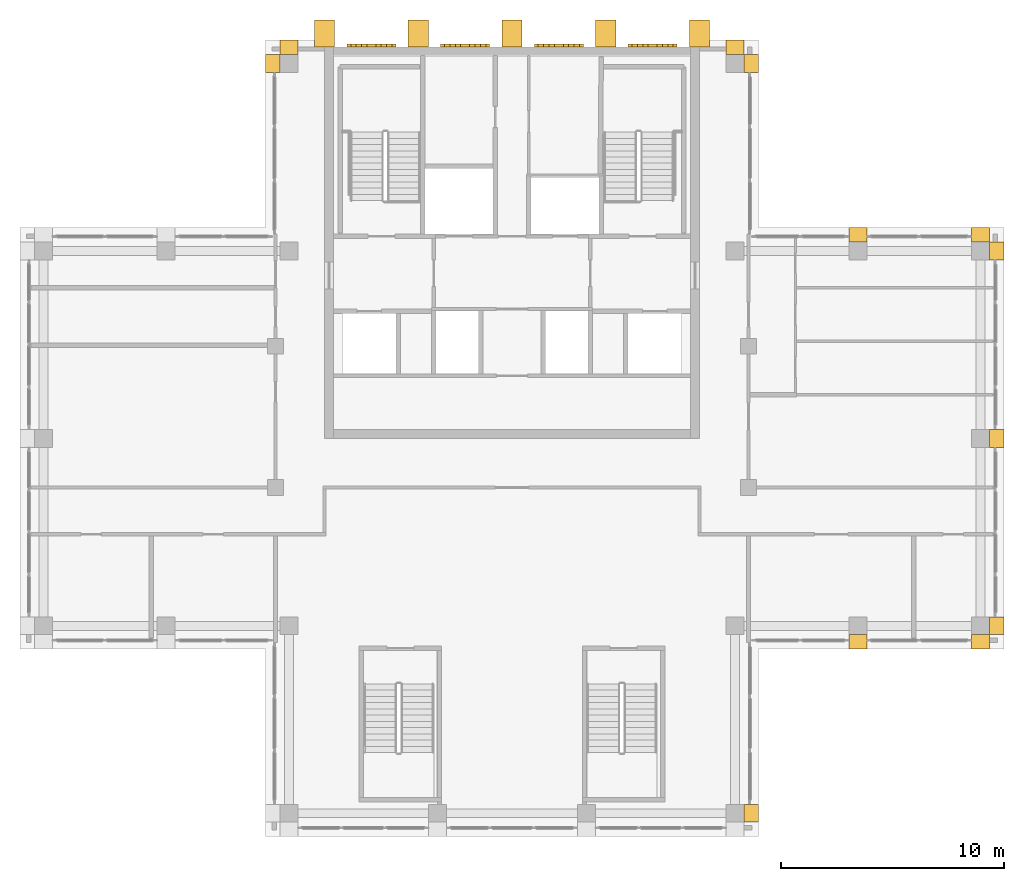
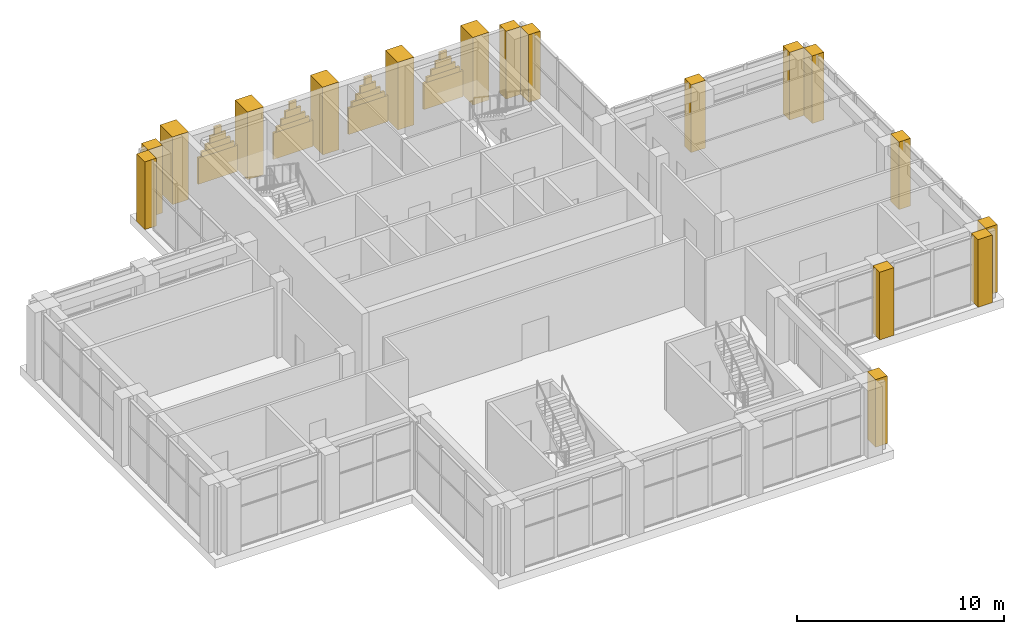
# One storey, part 14 of 14: 37 coverings.
"""IFC4 building model written with IfcOpenShell, lengths in metres."""

from ifc_helpers import new_model, si_unit, direction, frame, origin, place, context, subcontext, project, spatial, polyline, outline, extrude, material, type_object, element, save


model = new_model("IFC4")

# Units and contexts
model_context = context("Model", 3, precision=1e-05, world=origin(), true_north=direction((0.0, 1.0)))
body_context = subcontext(model_context, "Body", "Model", "MODEL_VIEW")
ifc_project = project(units=[si_unit("LENGTHUNIT", "METRE"), si_unit("AREAUNIT", "SQUARE_METRE"), si_unit("VOLUMEUNIT", "CUBIC_METRE"), si_unit("PLANEANGLEUNIT", "RADIAN"), si_unit("MASSUNIT", "GRAM", prefix="KILO")], contexts=[model_context])

# Site, building, storey
site_placement = place(None, origin())
site = spatial("IfcSite", under=ifc_project, at=site_placement, CompositionType="ELEMENT")
building_placement = place(site_placement, origin())
building = spatial("IfcBuilding", under=site, at=building_placement, Name="Vermilion Ogive Tower", CompositionType="ELEMENT")
storey_placement = place(building_placement, frame((0.0, 0.0, 273.85009765625)))
storey = spatial("IfcBuildingStorey", under=building, at=storey_placement, Name="L72", CompositionType="ELEMENT", Elevation=273.85009765625)

# Coverings
ifc_material_1 = material(Name="Stone cladding", Category="masonry")
covering_type_1 = type_object("IfcCoveringType", Name="Core buttress pier", PredefinedType="CLADDING", material=ifc_material_1)
covering_1_placement = place(storey_placement, origin())
element("IfcCovering", 1, at=covering_1_placement, inside=storey, type_object=covering_type_1, Name="Buttress pier L72 N1", PredefinedType="CLADDING", context=body_context, shape_type="SweptSolid", body=[
    extrude(outline(polyline([(-8.85009765625, 21.75), (-7.949951171875, 21.75), (-7.949951171875, 22.949951171875), (-8.85009765625, 22.949951171875), (-8.85009765625, 21.75)])), origin(), (0.0, 0.0, 1.0), 4.0),
])
covering_2_placement = place(storey_placement, origin())
element("IfcCovering", 2, at=covering_2_placement, inside=storey, type_object=covering_type_1, Name="Buttress pier L72 N2", PredefinedType="CLADDING", context=body_context, shape_type="SweptSolid", body=[
    extrude(outline(polyline([(-4.64990234375, 21.75), (-3.75, 21.75), (-3.75, 22.949951171875), (-4.64990234375, 22.949951171875), (-4.64990234375, 21.75)])), origin(), (0.0, 0.0, 1.0), 4.0),
])
covering_3_placement = place(storey_placement, origin())
element("IfcCovering", 3, at=covering_3_placement, inside=storey, type_object=covering_type_1, Name="Buttress pier L72 N3", PredefinedType="CLADDING", context=body_context, shape_type="SweptSolid", body=[
    extrude(outline(polyline([(-0.449951171875, 21.75), (0.449951171875, 21.75), (0.449951171875, 22.949951171875), (-0.449951171875, 22.949951171875), (-0.449951171875, 21.75)])), origin(), (0.0, 0.0, 1.0), 4.0),
])
covering_4_placement = place(storey_placement, origin())
element("IfcCovering", 4, at=covering_4_placement, inside=storey, type_object=covering_type_1, Name="Buttress pier L72 N4", PredefinedType="CLADDING", context=body_context, shape_type="SweptSolid", body=[
    extrude(outline(polyline([(3.75, 21.75), (4.64990234375, 21.75), (4.64990234375, 22.949951171875), (3.75, 22.949951171875), (3.75, 21.75)])), origin(), (0.0, 0.0, 1.0), 4.0),
])
covering_5_placement = place(storey_placement, origin())
element("IfcCovering", 5, at=covering_5_placement, inside=storey, type_object=covering_type_1, Name="Buttress pier L72 N5", PredefinedType="CLADDING", context=body_context, shape_type="SweptSolid", body=[
    extrude(outline(polyline([(7.949951171875, 21.75), (8.85009765625, 21.75), (8.85009765625, 22.949951171875), (7.949951171875, 22.949951171875), (7.949951171875, 21.75)])), origin(), (0.0, 0.0, 1.0), 4.0),
])
ifc_material_2 = material(Name="Stone cladding", Category="masonry")
covering_type_2 = type_object("IfcCoveringType", Name="Lancet panel", PredefinedType="CLADDING", material=ifc_material_2)
covering_6_placement = place(storey_placement, frame((0.0, 0.0, 0.699951171875)))
element("IfcCovering", 6, at=covering_6_placement, inside=storey, type_object=covering_type_2, Name="Lancet panel L72N1A", PredefinedType="CLADDING", context=body_context, shape_type="SweptSolid", body=[
    extrude(outline(polyline([(-7.39990234375, 21.75), (-5.199951171875, 21.75), (-5.199951171875, 21.8701171875), (-7.39990234375, 21.8701171875), (-7.39990234375, 21.75)])), origin(), (0.0, 0.0, 1.0), 1.550048828125),
])
covering_7_placement = place(storey_placement, frame((0.0, 0.0, 2.25)))
element("IfcCovering", 7, at=covering_7_placement, inside=storey, type_object=covering_type_2, Name="Lancet panel L72N1B", PredefinedType="CLADDING", context=body_context, shape_type="SweptSolid", body=[
    extrude(outline(polyline([(-7.22412109375, 21.75), (-5.3759765625, 21.75), (-5.3759765625, 21.8701171875), (-7.22412109375, 21.8701171875), (-7.22412109375, 21.75)])), origin(), (0.0, 0.0, 1.0), 0.2998046875),
])
covering_8_placement = place(storey_placement, frame((0.0, 0.0, 2.5498046875)))
element("IfcCovering", 8, at=covering_8_placement, inside=storey, type_object=covering_type_2, Name="Lancet panel L72N1C", PredefinedType="CLADDING", context=body_context, shape_type="SweptSolid", body=[
    extrude(outline(polyline([(-6.98193359375, 21.75), (-5.617919921875, 21.75), (-5.617919921875, 21.8701171875), (-6.98193359375, 21.8701171875), (-6.98193359375, 21.75)])), origin(), (0.0, 0.0, 1.0), 0.35009765625),
])
covering_9_placement = place(storey_placement, frame((0.0, 0.0, 2.89990234375)))
element("IfcCovering", 9, at=covering_9_placement, inside=storey, type_object=covering_type_2, Name="Lancet panel L72N1D", PredefinedType="CLADDING", context=body_context, shape_type="SweptSolid", body=[
    extrude(outline(polyline([(-6.739990234375, 21.75), (-5.860107421875, 21.75), (-5.860107421875, 21.8701171875), (-6.739990234375, 21.8701171875), (-6.739990234375, 21.75)])), origin(), (0.0, 0.0, 1.0), 0.39990234375),
])
covering_10_placement = place(storey_placement, frame((0.0, 0.0, 3.2998046875)))
element("IfcCovering", 10, at=covering_10_placement, inside=storey, type_object=covering_type_2, Name="Lancet panel L72N1E", PredefinedType="CLADDING", context=body_context, shape_type="SweptSolid", body=[
    extrude(outline(polyline([(-6.498046875, 21.75), (-6.10205078125, 21.75), (-6.10205078125, 21.8701171875), (-6.498046875, 21.8701171875), (-6.498046875, 21.75)])), origin(), (0.0, 0.0, 1.0), 0.4501953125),
])
covering_11_placement = place(storey_placement, frame((0.0, 0.0, 0.699951171875)))
element("IfcCovering", 11, at=covering_11_placement, inside=storey, type_object=covering_type_2, Name="Lancet panel L72N2A", PredefinedType="CLADDING", context=body_context, shape_type="SweptSolid", body=[
    extrude(outline(polyline([(-3.199951171875, 21.75), (-1.0, 21.75), (-1.0, 21.8701171875), (-3.199951171875, 21.8701171875), (-3.199951171875, 21.75)])), origin(), (0.0, 0.0, 1.0), 1.550048828125),
])
covering_12_placement = place(storey_placement, frame((0.0, 0.0, 2.25)))
element("IfcCovering", 12, at=covering_12_placement, inside=storey, type_object=covering_type_2, Name="Lancet panel L72N2B", PredefinedType="CLADDING", context=body_context, shape_type="SweptSolid", body=[
    extrude(outline(polyline([(-3.02392578125, 21.75), (-1.176025390625, 21.75), (-1.176025390625, 21.8701171875), (-3.02392578125, 21.8701171875), (-3.02392578125, 21.75)])), origin(), (0.0, 0.0, 1.0), 0.2998046875),
])
covering_13_placement = place(storey_placement, frame((0.0, 0.0, 2.5498046875)))
element("IfcCovering", 13, at=covering_13_placement, inside=storey, type_object=covering_type_2, Name="Lancet panel L72N2C", PredefinedType="CLADDING", context=body_context, shape_type="SweptSolid", body=[
    extrude(outline(polyline([(-2.781982421875, 21.75), (-1.41796875, 21.75), (-1.41796875, 21.8701171875), (-2.781982421875, 21.8701171875), (-2.781982421875, 21.75)])), origin(), (0.0, 0.0, 1.0), 0.35009765625),
])
covering_14_placement = place(storey_placement, frame((0.0, 0.0, 2.89990234375)))
element("IfcCovering", 14, at=covering_14_placement, inside=storey, type_object=covering_type_2, Name="Lancet panel L72N2D", PredefinedType="CLADDING", context=body_context, shape_type="SweptSolid", body=[
    extrude(outline(polyline([(-2.5400390625, 21.75), (-1.659912109375, 21.75), (-1.659912109375, 21.8701171875), (-2.5400390625, 21.8701171875), (-2.5400390625, 21.75)])), origin(), (0.0, 0.0, 1.0), 0.39990234375),
])
covering_15_placement = place(storey_placement, frame((0.0, 0.0, 3.2998046875)))
element("IfcCovering", 15, at=covering_15_placement, inside=storey, type_object=covering_type_2, Name="Lancet panel L72N2E", PredefinedType="CLADDING", context=body_context, shape_type="SweptSolid", body=[
    extrude(outline(polyline([(-2.298095703125, 21.75), (-1.902099609375, 21.75), (-1.902099609375, 21.8701171875), (-2.298095703125, 21.8701171875), (-2.298095703125, 21.75)])), origin(), (0.0, 0.0, 1.0), 0.4501953125),
])
covering_16_placement = place(storey_placement, frame((0.0, 0.0, 0.699951171875)))
element("IfcCovering", 16, at=covering_16_placement, inside=storey, type_object=covering_type_2, Name="Lancet panel L72N3A", PredefinedType="CLADDING", context=body_context, shape_type="SweptSolid", body=[
    extrude(outline(polyline([(1.0, 21.75), (3.199951171875, 21.75), (3.199951171875, 21.8701171875), (1.0, 21.8701171875), (1.0, 21.75)])), origin(), (0.0, 0.0, 1.0), 1.550048828125),
])
covering_17_placement = place(storey_placement, frame((0.0, 0.0, 2.25)))
element("IfcCovering", 17, at=covering_17_placement, inside=storey, type_object=covering_type_2, Name="Lancet panel L72N3B", PredefinedType="CLADDING", context=body_context, shape_type="SweptSolid", body=[
    extrude(outline(polyline([(1.176025390625, 21.75), (3.02392578125, 21.75), (3.02392578125, 21.8701171875), (1.176025390625, 21.8701171875), (1.176025390625, 21.75)])), origin(), (0.0, 0.0, 1.0), 0.2998046875),
])
covering_18_placement = place(storey_placement, frame((0.0, 0.0, 2.5498046875)))
element("IfcCovering", 18, at=covering_18_placement, inside=storey, type_object=covering_type_2, Name="Lancet panel L72N3C", PredefinedType="CLADDING", context=body_context, shape_type="SweptSolid", body=[
    extrude(outline(polyline([(1.41796875, 21.75), (2.781982421875, 21.75), (2.781982421875, 21.8701171875), (1.41796875, 21.8701171875), (1.41796875, 21.75)])), origin(), (0.0, 0.0, 1.0), 0.35009765625),
])
covering_19_placement = place(storey_placement, frame((0.0, 0.0, 2.89990234375)))
element("IfcCovering", 19, at=covering_19_placement, inside=storey, type_object=covering_type_2, Name="Lancet panel L72N3D", PredefinedType="CLADDING", context=body_context, shape_type="SweptSolid", body=[
    extrude(outline(polyline([(1.659912109375, 21.75), (2.5400390625, 21.75), (2.5400390625, 21.8701171875), (1.659912109375, 21.8701171875), (1.659912109375, 21.75)])), origin(), (0.0, 0.0, 1.0), 0.39990234375),
])
covering_20_placement = place(storey_placement, frame((0.0, 0.0, 3.2998046875)))
element("IfcCovering", 20, at=covering_20_placement, inside=storey, type_object=covering_type_2, Name="Lancet panel L72N3E", PredefinedType="CLADDING", context=body_context, shape_type="SweptSolid", body=[
    extrude(outline(polyline([(1.902099609375, 21.75), (2.298095703125, 21.75), (2.298095703125, 21.8701171875), (1.902099609375, 21.8701171875), (1.902099609375, 21.75)])), origin(), (0.0, 0.0, 1.0), 0.4501953125),
])
covering_21_placement = place(storey_placement, frame((0.0, 0.0, 0.699951171875)))
element("IfcCovering", 21, at=covering_21_placement, inside=storey, type_object=covering_type_2, Name="Lancet panel L72N4A", PredefinedType="CLADDING", context=body_context, shape_type="SweptSolid", body=[
    extrude(outline(polyline([(5.199951171875, 21.75), (7.39990234375, 21.75), (7.39990234375, 21.8701171875), (5.199951171875, 21.8701171875), (5.199951171875, 21.75)])), origin(), (0.0, 0.0, 1.0), 1.550048828125),
])
covering_22_placement = place(storey_placement, frame((0.0, 0.0, 2.25)))
element("IfcCovering", 22, at=covering_22_placement, inside=storey, type_object=covering_type_2, Name="Lancet panel L72N4B", PredefinedType="CLADDING", context=body_context, shape_type="SweptSolid", body=[
    extrude(outline(polyline([(5.3759765625, 21.75), (7.22412109375, 21.75), (7.22412109375, 21.8701171875), (5.3759765625, 21.8701171875), (5.3759765625, 21.75)])), origin(), (0.0, 0.0, 1.0), 0.2998046875),
])
covering_23_placement = place(storey_placement, frame((0.0, 0.0, 2.5498046875)))
element("IfcCovering", 23, at=covering_23_placement, inside=storey, type_object=covering_type_2, Name="Lancet panel L72N4C", PredefinedType="CLADDING", context=body_context, shape_type="SweptSolid", body=[
    extrude(outline(polyline([(5.617919921875, 21.75), (6.98193359375, 21.75), (6.98193359375, 21.8701171875), (5.617919921875, 21.8701171875), (5.617919921875, 21.75)])), origin(), (0.0, 0.0, 1.0), 0.35009765625),
])
covering_24_placement = place(storey_placement, frame((0.0, 0.0, 2.89990234375)))
element("IfcCovering", 24, at=covering_24_placement, inside=storey, type_object=covering_type_2, Name="Lancet panel L72N4D", PredefinedType="CLADDING", context=body_context, shape_type="SweptSolid", body=[
    extrude(outline(polyline([(5.860107421875, 21.75), (6.739990234375, 21.75), (6.739990234375, 21.8701171875), (5.860107421875, 21.8701171875), (5.860107421875, 21.75)])), origin(), (0.0, 0.0, 1.0), 0.39990234375),
])
covering_25_placement = place(storey_placement, frame((0.0, 0.0, 3.2998046875)))
element("IfcCovering", 25, at=covering_25_placement, inside=storey, type_object=covering_type_2, Name="Lancet panel L72N4E", PredefinedType="CLADDING", context=body_context, shape_type="SweptSolid", body=[
    extrude(outline(polyline([(6.10205078125, 21.75), (6.498046875, 21.75), (6.498046875, 21.8701171875), (6.10205078125, 21.8701171875), (6.10205078125, 21.75)])), origin(), (0.0, 0.0, 1.0), 0.4501953125),
])
ifc_material_3 = material(Name="Stone cladding", Category="masonry")
covering_type_3 = type_object("IfcCoveringType", Name="Stone pier", PredefinedType="CLADDING", material=ifc_material_3)
covering_26_placement = place(storey_placement, origin())
element("IfcCovering", 26, at=covering_26_placement, inside=storey, type_object=covering_type_3, Name="Stone pier P+0100+210X4", PredefinedType="CLADDING", context=body_context, shape_type="SweptSolid", body=[
    extrude(outline(polyline([(11.050048828125, 21.39990234375), (11.050048828125, 20.60009765625), (10.39990234375, 20.60009765625), (10.39990234375, 21.39990234375), (11.050048828125, 21.39990234375)])), origin(), (0.0, 0.0, 1.0), 4.0),
])
covering_27_placement = place(storey_placement, origin())
element("IfcCovering", 27, at=covering_27_placement, inside=storey, type_object=covering_type_3, Name="Stone pier P+0100+210N1", PredefinedType="CLADDING", context=body_context, shape_type="SweptSolid", body=[
    extrude(outline(polyline([(10.39990234375, 22.050048828125), (10.39990234375, 21.39990234375), (9.60009765625, 21.39990234375), (9.60009765625, 22.050048828125), (10.39990234375, 22.050048828125)])), origin(), (0.0, 0.0, 1.0), 4.0),
])
covering_28_placement = place(storey_placement, origin())
element("IfcCovering", 28, at=covering_28_placement, inside=storey, type_object=covering_type_3, Name="Stone pier P+0100-126X1", PredefinedType="CLADDING", context=body_context, shape_type="SweptSolid", body=[
    extrude(outline(polyline([(11.050048828125, -13.0), (10.39990234375, -13.0), (10.39990234375, -12.199951171875), (11.050048828125, -12.199951171875), (11.050048828125, -13.0)])), origin(), (0.0, 0.0, 1.0), 4.0),
])
covering_29_placement = place(storey_placement, origin())
element("IfcCovering", 29, at=covering_29_placement, inside=storey, type_object=covering_type_3, Name="Stone pier P+0155+126", PredefinedType="CLADDING", context=body_context, shape_type="SweptSolid", body=[
    extrude(outline(polyline([(15.10009765625, 13.64990234375), (15.89990234375, 13.64990234375), (15.89990234375, 13.0), (15.10009765625, 13.0), (15.10009765625, 13.64990234375)])), origin(), (0.0, 0.0, 1.0), 4.0),
])
covering_30_placement = place(storey_placement, origin())
element("IfcCovering", 30, at=covering_30_placement, inside=storey, type_object=covering_type_3, Name="Stone pier P+0155-042", PredefinedType="CLADDING", context=body_context, shape_type="SweptSolid", body=[
    extrude(outline(polyline([(15.89990234375, -5.25), (15.10009765625, -5.25), (15.10009765625, -4.60009765625), (15.89990234375, -4.60009765625), (15.89990234375, -5.25)])), origin(), (0.0, 0.0, 1.0), 4.0),
])
covering_31_placement = place(storey_placement, origin())
element("IfcCovering", 31, at=covering_31_placement, inside=storey, type_object=covering_type_3, Name="Stone pier P+0210+042", PredefinedType="CLADDING", context=body_context, shape_type="SweptSolid", body=[
    extrude(outline(polyline([(21.39990234375, 4.60009765625), (22.050048828125, 4.60009765625), (22.050048828125, 3.800048828125), (21.39990234375, 3.800048828125), (21.39990234375, 3.800048828125), (21.39990234375, 4.60009765625)])), origin(), (0.0, 0.0, 1.0), 4.0),
])
covering_32_placement = place(storey_placement, origin())
element("IfcCovering", 32, at=covering_32_placement, inside=storey, type_object=covering_type_3, Name="Stone pier P+0210+126E", PredefinedType="CLADDING", context=body_context, shape_type="SweptSolid", body=[
    extrude(outline(polyline([(22.050048828125, 13.0), (22.050048828125, 12.199951171875), (21.39990234375, 12.199951171875), (21.39990234375, 13.0), (22.050048828125, 13.0)])), origin(), (0.0, 0.0, 1.0), 4.0),
])
covering_33_placement = place(storey_placement, origin())
element("IfcCovering", 33, at=covering_33_placement, inside=storey, type_object=covering_type_3, Name="Stone pier P+0210+126X3", PredefinedType="CLADDING", context=body_context, shape_type="SweptSolid", body=[
    extrude(outline(polyline([(21.39990234375, 13.64990234375), (21.39990234375, 13.0), (20.60009765625, 13.0), (20.60009765625, 13.64990234375), (21.39990234375, 13.64990234375)])), origin(), (0.0, 0.0, 1.0), 4.0),
])
covering_34_placement = place(storey_placement, origin())
element("IfcCovering", 34, at=covering_34_placement, inside=storey, type_object=covering_type_3, Name="Stone pier P+0210-042X2", PredefinedType="CLADDING", context=body_context, shape_type="SweptSolid", body=[
    extrude(outline(polyline([(21.39990234375, -5.25), (20.60009765625, -5.25), (20.60009765625, -4.60009765625), (21.39990234375, -4.60009765625), (21.39990234375, -5.25)])), origin(), (0.0, 0.0, 1.0), 4.0),
])
covering_35_placement = place(storey_placement, origin())
element("IfcCovering", 35, at=covering_35_placement, inside=storey, type_object=covering_type_3, Name="Stone pier P+0210-042E", PredefinedType="CLADDING", context=body_context, shape_type="SweptSolid", body=[
    extrude(outline(polyline([(22.050048828125, -4.60009765625), (21.39990234375, -4.60009765625), (21.39990234375, -3.800048828125), (22.050048828125, -3.800048828125), (22.050048828125, -4.60009765625)])), origin(), (0.0, 0.0, 1.0), 4.0),
])
covering_36_placement = place(storey_placement, origin())
element("IfcCovering", 36, at=covering_36_placement, inside=storey, type_object=covering_type_3, Name="Stone pier P-0100+210N2", PredefinedType="CLADDING", context=body_context, shape_type="SweptSolid", body=[
    extrude(outline(polyline([(-10.39990234375, 22.050048828125), (-9.60009765625, 22.050048828125), (-9.60009765625, 21.39990234375), (-10.39990234375, 21.39990234375), (-10.39990234375, 22.050048828125)])), origin(), (0.0, 0.0, 1.0), 4.0),
])
covering_37_placement = place(storey_placement, origin())
element("IfcCovering", 37, at=covering_37_placement, inside=storey, type_object=covering_type_3, Name="Stone pier P-0100+210X5", PredefinedType="CLADDING", context=body_context, shape_type="SweptSolid", body=[
    extrude(outline(polyline([(-11.050048828125, 21.39990234375), (-10.39990234375, 21.39990234375), (-10.39990234375, 20.60009765625), (-11.050048828125, 20.60009765625), (-11.050048828125, 21.39990234375)])), origin(), (0.0, 0.0, 1.0), 4.0),
])

save(model, "model.ifc")
